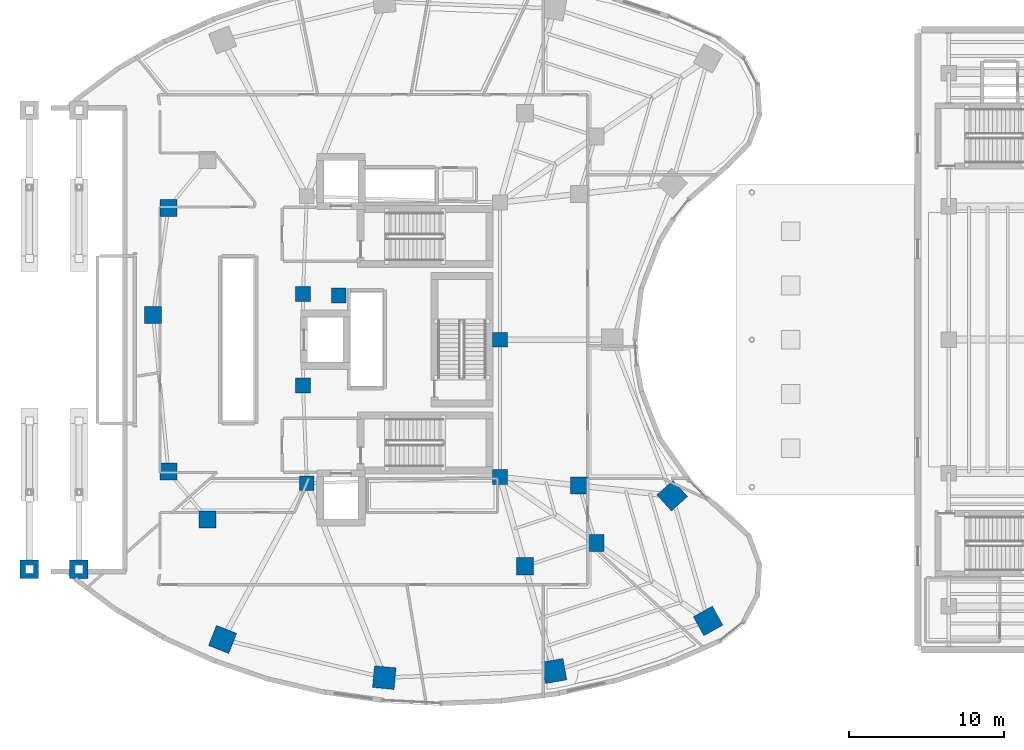
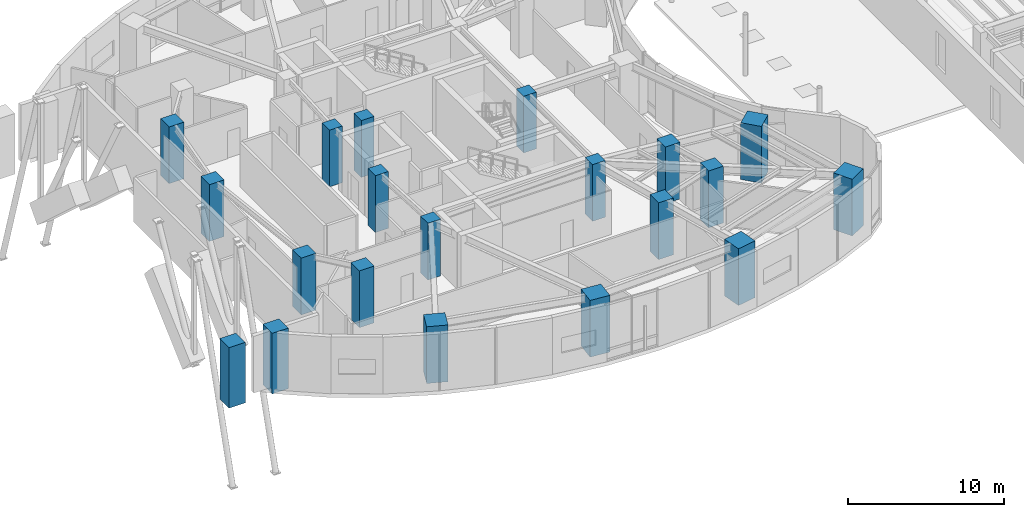
# One storey, part 1 of 24: 20 columns.
"""IFC4 building model written with IfcOpenShell, lengths in metres."""

import ifcopenshell
import ifcopenshell.guid

model = None  # the IFC model being written
_history = None  # IfcOwnerHistory: only IFC2X3 demands one
_inside = {}  # id of a spatial element -> (the spatial element, [elements in it])
_under = {}  # id of a project, library or spatial element -> (it, [spatial elements below it])
_declared = {}  # id of a project -> (the project, [libraries it declares])
_typed = {}  # id of a type object -> (the type object, [elements of that type])
_made_of = {}  # id of a material, layer set ... -> (it, [elements and type objects made of it])


def new_model(schema):
    """Start an empty IFC model of exactly this schema.

    Asked for "IFC4X3", IfcOpenShell would pick the latest addendum, in which some entities
    have other attributes; the version numbers below select the first issue.
    IFC2X3 requires an IfcOwnerHistory on every rooted entity: one is made here for all.
    """
    global model, _history
    if schema == "IFC4X3":
        model = ifcopenshell.file(schema_version=(4, 3, 0, 0))
    else:
        model = ifcopenshell.file(schema=schema)
    _inside.clear()
    _under.clear()
    _declared.clear()
    _typed.clear()
    _made_of.clear()
    _history = None
    if model.schema == "IFC2X3":
        org = make("IfcOrganization", Name="unknown")
        user = make(
            "IfcPersonAndOrganization",
            ThePerson=make("IfcPerson", FamilyName="unknown"),
            TheOrganization=org,
        )
        app = make(
            "IfcApplication",
            ApplicationDeveloper=org,
            Version="unknown",
            ApplicationFullName="unknown",
            ApplicationIdentifier="unknown",
        )
        _history = make(
            "IfcOwnerHistory",
            OwningUser=user,
            OwningApplication=app,
            ChangeAction="ADDED",
            CreationDate=0,
        )
    return model


def make(cls, **values):
    """One entity of the class cls with the attributes given. An attribute that is None is left unset."""
    return model.create_entity(
        cls, **{name: value for name, value in values.items() if value is not None}
    )


def rooted(cls, **values):
    """An entity with a GlobalId (a new one), such as an element, a storey or a relation."""
    return make(cls, GlobalId=ifcopenshell.guid.new(), OwnerHistory=_history, **values)


def si_unit(unit_type, name, prefix=None):
    """IfcSIUnit, for example si_unit("LENGTHUNIT", "METRE", prefix="MILLI")."""
    return make("IfcSIUnit", UnitType=unit_type, Prefix=prefix, Name=name)


def assignment(units):
    """IfcUnitAssignment: the units of a project."""
    return None if units is None else make("IfcUnitAssignment", Units=units)


def point(xyz):
    """IfcCartesianPoint."""
    return None if xyz is None else make("IfcCartesianPoint", Coordinates=xyz)


def direction(xyz):
    """IfcDirection."""
    return None if xyz is None else make("IfcDirection", DirectionRatios=xyz)


def frame(location, z_axis=None, x_axis=None):
    """IfcAxis2Placement3D, a coordinate frame: its origin and axes. An axis left out is left unset."""
    return make(
        "IfcAxis2Placement3D",
        Location=point(location),
        Axis=direction(z_axis),
        RefDirection=direction(x_axis),
    )


def frame_2d(location, x_axis=None):
    """IfcAxis2Placement2D, a coordinate frame in the plane: its origin and x axis."""
    return make(
        "IfcAxis2Placement2D", Location=point(location), RefDirection=direction(x_axis)
    )


def origin():
    """The frame at (0, 0, 0) with its axes left unset."""
    return frame((0.0, 0.0, 0.0))


def origin_2d():
    """The frame at (0, 0) in the plane with its x axis left unset."""
    return frame_2d((0.0, 0.0))


def place(relative_to, where):
    """IfcLocalPlacement: puts the frame where relative to a parent placement (None: the world)."""
    return make(
        "IfcLocalPlacement", PlacementRelTo=relative_to, RelativePlacement=where
    )


def context(
    kind, dimensions, precision=None, world=None, true_north=None, identifier=None
):
    """IfcGeometricRepresentationContext, for example the 3D "Model" context."""
    return make(
        "IfcGeometricRepresentationContext",
        ContextIdentifier=identifier,
        ContextType=kind,
        CoordinateSpaceDimension=dimensions,
        Precision=precision,
        WorldCoordinateSystem=world,
        TrueNorth=true_north,
    )


def subcontext(parent, identifier, kind, view, scale=None):
    """IfcGeometricRepresentationSubContext, for example "Body" below "Model"."""
    return make(
        "IfcGeometricRepresentationSubContext",
        ContextIdentifier=identifier,
        ContextType=kind,
        ParentContext=parent,
        TargetScale=scale,
        TargetView=view,
    )


def project(units=None, contexts=None):
    """IfcProject with its units and contexts."""
    return rooted(
        "IfcProject",
        Name="project",
        RepresentationContexts=contexts,
        UnitsInContext=assignment(units),
    )


def spatial(cls, under=None, at=None, **own):
    """A site, building, storey or space (cls), placed at a placement, below another one or the project."""
    s = rooted(cls, ObjectPlacement=at, **own)
    if under is not None:
        _under.setdefault(under.id(), (under, []))[1].append(s)
    return s


def profile(cls, at=None, kind="AREA", **sizes):
    """A parametric profile (cls). Its sizes go by their IFC names, for example OverallWidth=200.0."""
    return make(cls, ProfileType=kind, Position=at, **sizes)


def rectangle(**sizes):
    """IfcRectangleProfileDef."""
    return profile("IfcRectangleProfileDef", **sizes)


def extrude(swept, where, along, depth):
    """IfcExtrudedAreaSolid: the profile swept, set in the frame where, extruded along a direction by depth."""
    return make(
        "IfcExtrudedAreaSolid",
        SweptArea=swept,
        Position=where,
        ExtrudedDirection=direction(along),
        Depth=depth,
    )


def shape(context_of_items, identifier, shape_type, items):
    """IfcShapeRepresentation: the items that make up one representation, for example the "Body"."""
    return make(
        "IfcShapeRepresentation",
        ContextOfItems=context_of_items,
        RepresentationIdentifier=identifier,
        RepresentationType=shape_type,
        Items=items,
    )


def material(Name=None, Category=None):
    """IfcMaterial."""
    return make("IfcMaterial", Name=Name, Category=Category)


def material_profile(
    of_material, cross_section, Name=None, Category=None, Priority=None
):
    """IfcMaterialProfile: a cross section and its material."""
    return make(
        "IfcMaterialProfile",
        Name=Name,
        Material=of_material,
        Profile=cross_section,
        Priority=Priority,
        Category=Category,
    )


def profile_set(profiles, Name=None, composite=None):
    """IfcMaterialProfileSet."""
    return make(
        "IfcMaterialProfileSet",
        Name=Name,
        MaterialProfiles=profiles,
        CompositeProfile=composite,
    )


def made_of(thing, what):
    """Note that an element or type object is made of a material, layer set ...; save() writes the relation."""
    if what is not None:
        _made_of.setdefault(what.id(), (what, []))[1].append(thing)
    return thing


def type_object(cls, material=None, **own):
    """A type object (cls), such as IfcWallType, which elements share."""
    return made_of(rooted(cls, **own), material)


def element(
    cls,
    number,
    at=None,
    inside=None,
    cuts=None,
    type_object=None,
    material=None,
    context=None,
    identifier="Body",
    shape_type=None,
    held_by="IfcProductDefinitionShape",
    body=None,
    shapes=None,
    **own,
):
    """One element of the class cls, such as IfcWall. Its Tag is "e" and its number.

    at: its placement. inside: the storey or other place that contains it. cuts: it is an
    opening in that element (IfcRelVoidsElement). A single representation is given by context,
    identifier, shape_type and body (its items); several are given by shapes. held_by: the class
    of the entity that holds the representations. save() writes the other relations.
    """
    e = rooted(cls, Tag="e%d" % number, ObjectPlacement=at, **own)
    if body is not None:
        shapes = [shape(context, identifier, shape_type, body)]
    if shapes is not None:
        e.Representation = make(held_by, Representations=shapes)
    if inside is not None:
        _inside.setdefault(inside.id(), (inside, []))[1].append(e)
    if cuts is not None:
        rooted(
            "IfcRelVoidsElement", RelatingBuildingElement=cuts, RelatedOpeningElement=e
        )
    if type_object is not None:
        _typed.setdefault(type_object.id(), (type_object, []))[1].append(e)
    return made_of(e, material)


def aggregate(whole, parts):
    """IfcRelAggregates: a whole, such as a stair, and the parts it consists of."""
    return rooted("IfcRelAggregates", RelatingObject=whole, RelatedObjects=parts)


def save(model, path):
    """Write the relations noted so far, then the file.

    IfcRelAggregates (storeys below a building ...), IfcRelContainedInSpatialStructure (elements
    in a storey), IfcRelDefinesByType, IfcRelAssociatesMaterial and IfcRelDeclares: one each for
    every whole, place, type object, material and project.
    """
    for whole, parts in _under.values():
        aggregate(whole, parts)
    for where, things in _inside.values():
        rooted(
            "IfcRelContainedInSpatialStructure",
            RelatedElements=things,
            RelatingStructure=where,
        )
    for kind, things in _typed.values():
        rooted("IfcRelDefinesByType", RelatedObjects=things, RelatingType=kind)
    for what, things in _made_of.values():
        rooted("IfcRelAssociatesMaterial", RelatedObjects=things, RelatingMaterial=what)
    for by, libraries in _declared.values():
        rooted("IfcRelDeclares", RelatingContext=by, RelatedDefinitions=libraries)
    model.write(path)


model = new_model("IFC4")

# Units and contexts
model_context = context("Model", 3, precision=1e-05, world=origin(), true_north=direction((0.0, 1.0)))
body_context = subcontext(model_context, "Body", "Model", "MODEL_VIEW")
ifc_project = project(units=[si_unit("LENGTHUNIT", "METRE"), si_unit("AREAUNIT", "SQUARE_METRE"), si_unit("VOLUMEUNIT", "CUBIC_METRE"), si_unit("PLANEANGLEUNIT", "RADIAN"), si_unit("MASSUNIT", "GRAM", prefix="KILO")], contexts=[model_context])

# Site, building, storey
site_placement = place(None, origin())
site = spatial("IfcSite", under=ifc_project, at=site_placement, CompositionType="ELEMENT")
building_placement = place(site_placement, origin())
building = spatial("IfcBuilding", under=site, at=building_placement, Name="Korentha Bioscience Tower", CompositionType="ELEMENT")
storey_placement = place(building_placement, frame((0.0, 0.0, 10.199951171875)))
storey = spatial("IfcBuildingStorey", under=building, at=storey_placement, Name="L02", CompositionType="ELEMENT", Elevation=10.199951171875)

# Columns
ifc_material_1 = material(Name="Concrete C65", Category="concrete")
ifc_material_profile_1 = material_profile(ifc_material_1, rectangle(XDim=0.949951171875, YDim=0.949951171875, at=origin_2d()), Name="Concrete C65")
ifc_profile_set_1 = profile_set([ifc_material_profile_1], Name="Concrete C65 (COL-CP09)")
column_type_1 = type_object("IfcColumnType", Name="Core Pilaster Column RC 950x950", PredefinedType="PILASTER", material=ifc_profile_set_1)
for number, where, z_axis, x_axis, name in (
    (1, (24.85009765625, 29.949951171875, -0.00048828125), (0.0, 0.0, 1.0), (1.0, 0.0, 0.0), "L02 Core Pilaster CP-03"),
    (2, (27.14990234375, 29.85009765625, -0.00048828125), (0.0, 0.0, 1.0), (1.0, 0.0, 0.0), "L02 Core Pilaster CP-04"),
    (3, (24.85009765625, 24.050048828125, -0.00048828125), (0.0, 0.0, 1.0), (1.0, 0.0, 0.0), "L02 Core Pilaster CP-05"),
    (4, (25.10009765625, 17.75, -0.00048828125), (0.0, 0.0, 1.0), (1.0, 0.0, 0.0), "L02 Core Pilaster CP-06"),
    (5, (37.550048828125, 18.14990234375, -0.00048828125), (0.0, 0.0, 1.0), (1.0, 0.0, 0.0), "L02 Core Pilaster CP-07"),
    (6, (37.550048828125, 27.0, -0.00048828125), (0.0, 0.0, 1.0), (1.0, 0.0, 0.0), "L02 Core Pilaster CP-08"),
):
    element("IfcColumn", number, at=place(storey_placement, frame(where, z_axis=z_axis, x_axis=x_axis)), inside=storey, type_object=column_type_1, Name=name, PredefinedType="PILASTER", context=body_context, shape_type="SweptSolid", body=[
        extrude(rectangle(XDim=0.949951171875, YDim=0.949951171875, at=origin_2d()), origin(), (0.0, 0.0, 1.0), 4.450927734375),
    ])
ifc_material_2 = material(Name="Concrete C80", Category="concrete")
ifc_material_profile_2 = material_profile(ifc_material_2, rectangle(XDim=1.10009765625, YDim=1.10009765625, at=origin_2d()), Name="Concrete C80")
ifc_profile_set_2 = profile_set([ifc_material_profile_2], Name="Concrete C80 (COL-MR11)")
column_type_2 = type_object("IfcColumnType", Name="Mid-Ring Lab Column RC 1100x1100", PredefinedType="COLUMN", material=ifc_profile_set_2)
for number, where, z_axis, x_axis, name in (
    (7, (16.174072265625, 35.489013671875, -0.00048828125), (0.0, 0.0, 1.0), (1.0, 0.0, 0.0), "L02 Mid-Ring Column 06"),
    (8, (15.1787109375, 28.593505859375, -0.00048828125), (0.0, 0.0, 1.0), (1.0, 0.0, 0.0), "L02 Mid-Ring Column 07"),
    (9, (16.174072265625, 18.510986328125, -0.00048828125), (0.0, 0.0, 1.0), (1.0, 0.0, 0.0), "L02 Mid-Ring Column 08"),
    (10, (18.692138671875, 15.4052734375, -0.00048828125), (0.0, 0.0, 1.0), (1.0, 0.0, 0.0), "L02 Mid-Ring Column 09"),
    (11, (39.1611328125, 12.392333984375, -0.00048828125), (0.0, 0.0, 1.0), (1.0, 0.0, 0.0), "L02 Mid-Ring Column 12"),
    (12, (43.7265625, 13.878662109375, -0.00048828125), (0.0, 0.0, 1.0), (1.0, 0.0, 0.0), "L02 Mid-Ring Column 13"),
    (13, (42.66162109375, 17.593017578125, -0.00048828125), (0.0, 0.0, 1.0), (1.0, 0.0, 0.0), "L02 Mid-Ring Column 14"),
):
    element("IfcColumn", number, at=place(storey_placement, frame(where, z_axis=z_axis, x_axis=x_axis)), inside=storey, type_object=column_type_2, Name=name, PredefinedType="COLUMN", context=body_context, shape_type="SweptSolid", body=[
        extrude(rectangle(XDim=1.10009765625, YDim=1.10009765625, at=origin_2d()), origin(), (0.0, 0.0, 1.0), 4.450927734375),
    ])
ifc_material_profile_3 = material_profile(ifc_material_2, rectangle(XDim=1.199951171875, YDim=1.199951171875, at=origin_2d()), Name="Concrete C80")
ifc_profile_set_3 = profile_set([ifc_material_profile_3], Name="Concrete C80 (COL-P12)")
column_type_3 = type_object("IfcColumnType", Name="Perimeter Column RC 1200x1200", PredefinedType="COLUMN", material=ifc_profile_set_3)
for number, where, z_axis, x_axis, name in (
    (14, (7.199951171875, 12.199951171875, -0.300048828125), (0.0, 0.0, 1.0), (1.0, 0.0, 0.0), "L02 Arch End Pier 1-S"),
    (15, (10.39990234375, 12.199951171875, -0.300048828125), (0.0, 0.0, 1.0), (1.0, 0.0, 0.0), "L02 Arch End Pier 2-S"),
):
    element("IfcColumn", number, at=place(storey_placement, frame(where, z_axis=z_axis, x_axis=x_axis)), inside=storey, type_object=column_type_3, Name=name, PredefinedType="COLUMN", context=body_context, shape_type="SweptSolid", body=[
        extrude(rectangle(XDim=1.199951171875, YDim=1.199951171875, at=origin_2d()), origin(), (0.0, 0.0, 1.0), 4.75),
    ])
ifc_material_profile_4 = material_profile(ifc_material_2, rectangle(XDim=1.39990234375, YDim=1.39990234375, at=origin_2d()), Name="Concrete C80")
ifc_profile_set_4 = profile_set([ifc_material_profile_4], Name="Concrete C80 (COL-P14)")
column_type_4 = type_object("IfcColumnType", Name="Perimeter Column RC 1400x1400", PredefinedType="COLUMN", material=ifc_profile_set_4)
for number, where, z_axis, x_axis, name in (
    (16, (19.66650390625, 7.671142578125, -0.00048828125), (0.0, 0.0, 1.0), (-0.930225540858, 0.366988341962, 0.0), "L02 Perimeter Column 10"),
    (17, (30.09423828125, 5.20751953125, -0.00048828125), (0.0, 0.0, 1.0), (-0.995462868748, 0.095150811579, 0.0), "L02 Perimeter Column 11"),
    (18, (41.052490234375, 5.63330078125, -0.00048828125), (0.0, 0.0, 1.0), (0.984868307662, 0.173304404339, 0.0), "L02 Perimeter Column 12"),
    (19, (50.977294921875, 8.864501953125, -0.00048828125), (0.0, 0.0, 1.0), (0.874535078577, 0.484962262797, 0.0), "L02 Perimeter Column 13"),
    (20, (48.661865234375, 16.939208984375, -0.00048828125), (0.0, 0.0, 1.0), (-0.669130606359, 0.743144825477, 0.0), "L02 Perimeter Column 14"),
):
    element("IfcColumn", number, at=place(storey_placement, frame(where, z_axis=z_axis, x_axis=x_axis)), inside=storey, type_object=column_type_4, Name=name, PredefinedType="COLUMN", context=body_context, shape_type="SweptSolid", body=[
        extrude(rectangle(XDim=1.39990234375, YDim=1.39990234375, at=origin_2d()), origin(), (0.0, 0.0, 1.0), 4.450927734375),
    ])

save(model, "model.ifc")
